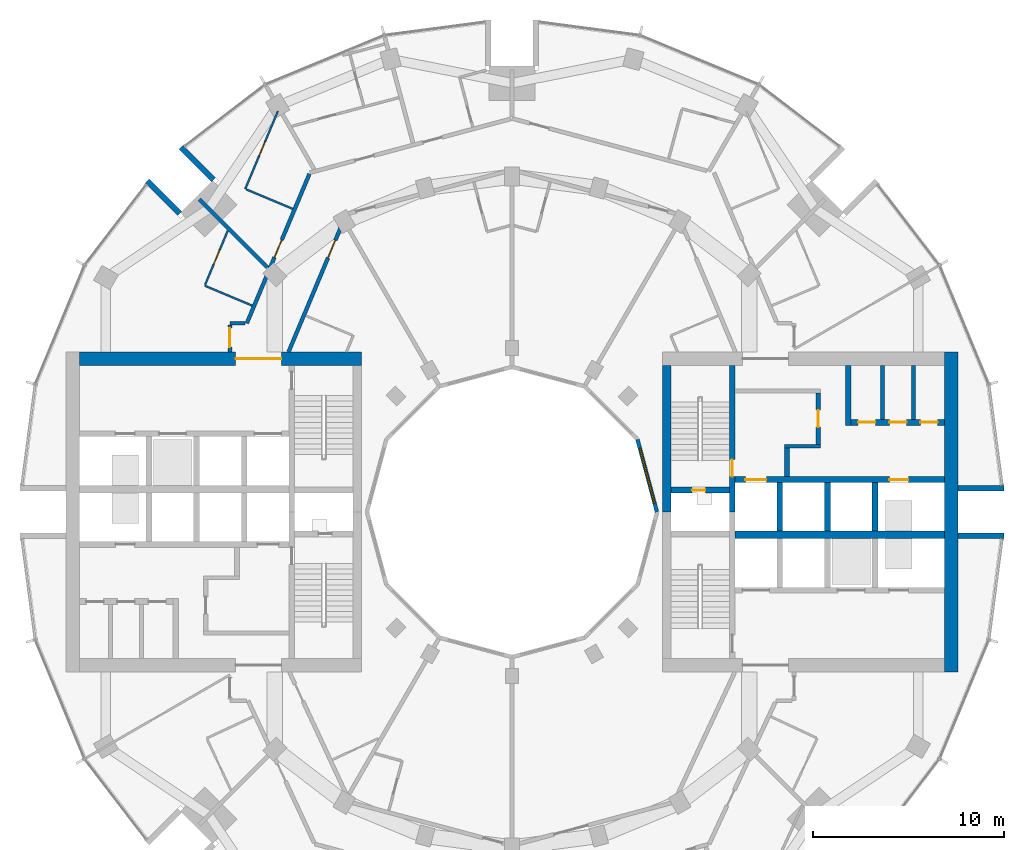
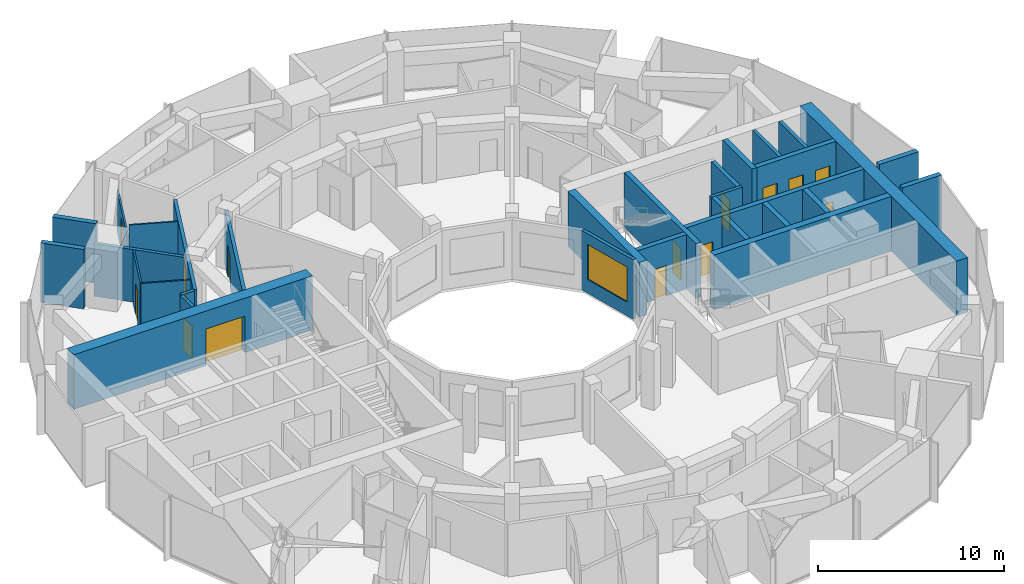
# One storey, part 11 of 15: 31 walls, 14 doors, 1 window, 15 openings.
"""IFC4 building model written with IfcOpenShell, lengths in metres."""

from ifc_helpers import new_model, si_unit, direction, frame, frame_2d, origin, place, context, subcontext, project, spatial, rectangle, extrude, material, layer, layer_set, type_object, element, fill, save


model = new_model("IFC4")

# Units and contexts
model_context = context("Model", 3, precision=1e-05, world=origin(), true_north=direction((0.0, 1.0)))
body_context = subcontext(model_context, "Body", "Model", "MODEL_VIEW")
ifc_project = project(units=[si_unit("LENGTHUNIT", "METRE"), si_unit("AREAUNIT", "SQUARE_METRE"), si_unit("VOLUMEUNIT", "CUBIC_METRE"), si_unit("PLANEANGLEUNIT", "RADIAN"), si_unit("MASSUNIT", "GRAM", prefix="KILO")], contexts=[model_context])

# Site, building, storey
site_placement = place(None, origin())
site = spatial("IfcSite", under=ifc_project, at=site_placement, CompositionType="ELEMENT")
building_placement = place(site_placement, origin())
building = spatial("IfcBuilding", under=site, at=building_placement, Name="Torre Brocal", CompositionType="ELEMENT")
storey_placement = place(building_placement, frame((0.0, 0.0, 134.10009765625)))
storey = spatial("IfcBuildingStorey", under=building, at=storey_placement, Name="L31", CompositionType="ELEMENT", Elevation=134.10009765625)

# Walls
ifc_material_1 = material(Name="Masonry block", Category="masonry")
ifc_layer_1 = layer(ifc_material_1, 0.199951171875)
ifc_layer_set_1 = layer_set([ifc_layer_1], Name="Masonry block")
wall_type_1 = type_object("IfcWallType", Name="CORE PARTITION 200", PredefinedType="PARTITIONING", material=ifc_layer_set_1)
for number, where, z_axis, x_axis, name in (
    (1, (99.433349609375, 79.85009765625, 0.0), (0.0, 0.0, 1.0), (0.0, 1.0, 0.0), "Wall CP200"),
    (2, (101.066650390625, 79.85009765625, 0.0), (0.0, 0.0, 1.0), (0.0, 1.0, 0.0), "Wall CP200"),
):
    element("IfcWall", number, at=place(storey_placement, frame(where, z_axis=z_axis, x_axis=x_axis)), inside=storey, type_object=wall_type_1, Name=name, PredefinedType="PARTITIONING", context=body_context, shape_type="SweptSolid", body=[
        extrude(rectangle(XDim=2.849853515625, YDim=0.199951171875, at=frame_2d((1.4248046875, 0.0))), origin(), (0.0, 0.0, 1.0), 3.579833984375),
    ])
ifc_material_2 = material(Name="Concrete C70", Category="concrete")
ifc_layer_2 = layer(ifc_material_2, 0.199951171875)
ifc_layer_set_2 = layer_set([ifc_layer_2], Name="Concrete C70")
wall_type_2 = type_object("IfcWallType", Name="CORE WALL 200 C70", PredefinedType="SHEAR", material=ifc_layer_set_2)
wall_1_placement = place(storey_placement, frame((94.300048828125, 78.449951171875, 0.0), z_axis=(0.0, 0.0, 1.0), x_axis=(1.0, 0.0, 0.0)))
element("IfcWall", 3, at=wall_1_placement, inside=storey, type_object=wall_type_2, Name="Wall CW200-70", PredefinedType="SHEAR", context=body_context, shape_type="SweptSolid", body=[
    extrude(rectangle(XDim=1.89990234375, YDim=0.199951171875, at=frame_2d((0.949951171875, 0.0))), origin(), (0.0, 0.0, 1.0), 3.579833984375),
])

# Wall, opening, door
ifc_material_3 = material(Name="Concrete C70", Category="concrete")
ifc_layer_3 = layer(ifc_material_3, 0.25)
ifc_layer_set_3 = layer_set([ifc_layer_3], Name="Concrete C70")
wall_type_3 = type_object("IfcWallType", Name="CORE WALL 250 C70", PredefinedType="SHEAR", material=ifc_layer_set_3)
wall_2_placement = place(storey_placement, frame((96.074951171875, 78.550048828125, 0.0), z_axis=(0.0, 0.0, 1.0), x_axis=(0.0, 1.0, 0.0)))
wall_2 = element("IfcWall", 4, at=wall_2_placement, inside=storey, type_object=wall_type_3, Name="Wall CW250-70", PredefinedType="SHEAR", context=body_context, shape_type="SweptSolid", body=[
    extrude(rectangle(XDim=2.699951171875, YDim=0.25, at=frame_2d((1.35009765625, 0.0))), origin(), (0.0, 0.0, 1.0), 3.579833984375),
])
opening_1_placement = place(wall_2_placement, frame((0.89990234375, 0.0, 0.0)))
opening_1 = element("IfcOpeningElement", 5, at=opening_1_placement, cuts=wall_2, Name="Opening E-D15", PredefinedType="OPENING", context=body_context, shape_type="SweptSolid", body=[
    extrude(rectangle(XDim=0.89990234375, YDim=2.10009765625, at=frame_2d((0.449951171875, 1.050048828125))), frame((0.0, 0.135009765625, 0.0), z_axis=(0.0, -1.0, 0.0), x_axis=(1.0, 0.0, 0.0)), (0.0, 0.0, 1.0), 0.27001953125),
])
ifc_material_4 = material(Name="Steel A653", Category="steel")
door_type_1 = type_object("IfcDoorType", Name="LOBBY DOOR FD120 900X2100", OperationType="SINGLE_SWING_RIGHT", PredefinedType="DOOR", material=ifc_material_4)
door_1_placement = place(opening_1_placement, origin())
door_1 = element("IfcDoor", 6, at=door_1_placement, inside=storey, type_object=door_type_1, Name="Door E-D15", OperationType="SINGLE_SWING_LEFT", OverallHeight=2.10009765625, OverallWidth=0.89990234375, PredefinedType="DOOR", context=body_context, shape_type="SweptSolid", body=[
    extrude(rectangle(XDim=0.89990234375, YDim=2.10009765625, at=frame_2d((0.449951171875, 1.050048828125))), frame((0.0, 0.02490234375, 0.0), z_axis=(0.0, -1.0, 0.0), x_axis=(1.0, 0.0, 0.0)), (0.0, 0.0, 1.0), 0.050048828125),
])
fill(opening_1, door_1)

# Wall
wall_3_placement = place(storey_placement, frame((94.425048828125, 76.85009765625, 0.0), z_axis=(0.0, 0.0, 1.0), x_axis=(0.0, 1.0, 0.0)))
element("IfcWall", 7, at=wall_3_placement, inside=storey, type_object=wall_type_3, Name="Wall CW250-70", PredefinedType="SHEAR", context=body_context, shape_type="SweptSolid", body=[
    extrude(rectangle(XDim=1.5, YDim=0.25, at=frame_2d((0.75, 0.0))), origin(), (0.0, 0.0, 1.0), 3.579833984375),
])

# Wall, opening, door
ifc_material_5 = material(Name="Concrete C70", Category="concrete")
ifc_layer_4 = layer(ifc_material_5, 0.300048828125)
ifc_layer_set_4 = layer_set([ifc_layer_4], Name="Concrete C70")
wall_type_4 = type_object("IfcWallType", Name="CORE WALL 300 C70", PredefinedType="SHEAR", material=ifc_layer_set_4)
wall_4_placement = place(storey_placement, frame((91.550048828125, 75.0, 0.0), z_axis=(0.0, 0.0, 1.0), x_axis=(0.0, 1.0, 0.0)))
wall_4 = element("IfcWall", 8, at=wall_4_placement, inside=storey, type_object=wall_type_4, Name="Wall CW300-70", PredefinedType="SHEAR", context=body_context, shape_type="SweptSolid", body=[
    extrude(rectangle(XDim=7.699951171875, YDim=0.300048828125, at=frame_2d((3.85009765625, 0.0))), origin(), (0.0, 0.0, 1.0), 3.579833984375),
])
opening_2_placement = place(wall_4_placement, frame((1.85009765625, 0.0, 0.0)))
opening_2 = element("IfcOpeningElement", 9, at=opening_2_placement, cuts=wall_4, Name="Opening E-D02", PredefinedType="OPENING", context=body_context, shape_type="SweptSolid", body=[
    extrude(rectangle(XDim=0.89990234375, YDim=2.10009765625, at=frame_2d((0.449951171875, 1.050048828125))), frame((0.0, 0.159912109375, 0.0), z_axis=(0.0, -1.0, 0.0), x_axis=(1.0, 0.0, 0.0)), (0.0, 0.0, 1.0), 0.320068359375),
])
ifc_material_6 = material(Name="Steel A653", Category="steel")
door_type_2 = type_object("IfcDoorType", Name="STAIR DOOR FD120 900X2100", OperationType="SINGLE_SWING_RIGHT", PredefinedType="DOOR", material=ifc_material_6)
door_2_placement = place(opening_2_placement, origin())
door_2 = element("IfcDoor", 10, at=door_2_placement, inside=storey, type_object=door_type_2, Name="Door E-D02", OperationType="SINGLE_SWING_LEFT", OverallHeight=2.10009765625, OverallWidth=0.89990234375, PredefinedType="DOOR", context=body_context, shape_type="SweptSolid", body=[
    extrude(rectangle(XDim=0.89990234375, YDim=2.10009765625, at=frame_2d((0.449951171875, 1.050048828125))), frame((0.0, 0.02490234375, 0.0), z_axis=(0.0, -1.0, 0.0), x_axis=(1.0, 0.0, 0.0)), (0.0, 0.0, 1.0), 0.050048828125),
])
fill(opening_2, door_2)

wall_5_placement = place(storey_placement, frame((88.35009765625, 76.14990234375, 0.0), z_axis=(0.0, 0.0, 1.0), x_axis=(1.0, 0.0, 0.0)))
wall_5 = element("IfcWall", 11, at=wall_5_placement, inside=storey, type_object=wall_type_4, Name="Wall CW300-70", PredefinedType="SHEAR", context=body_context, shape_type="SweptSolid", body=[
    extrude(rectangle(XDim=3.0498046875, YDim=0.300048828125, at=frame_2d((1.52490234375, 0.0))), origin(), (0.0, 0.0, 1.0), 3.579833984375),
])
opening_3_placement = place(wall_5_placement, frame((1.10009765625, 0.0, 0.0)))
opening_3 = element("IfcOpeningElement", 12, at=opening_3_placement, cuts=wall_5, Name="Opening E-D01", PredefinedType="OPENING", context=body_context, shape_type="SweptSolid", body=[
    extrude(rectangle(XDim=0.699951171875, YDim=2.0, at=frame_2d((0.35009765625, 1.0))), frame((0.0, 0.159912109375, 0.0), z_axis=(0.0, -1.0, 0.0), x_axis=(1.0, 0.0, 0.0)), (0.0, 0.0, 1.0), 0.320068359375),
])
ifc_material_7 = material(Name="Steel A653", Category="steel")
door_type_3 = type_object("IfcDoorType", Name="RISER DOOR FD120 700X2000", OperationType="SINGLE_SWING_LEFT", PredefinedType="DOOR", material=ifc_material_7)
door_3_placement = place(opening_3_placement, frame((0.699951171875, 0.0, 0.0), z_axis=(0.0, 0.0, 1.0), x_axis=(-1.0, 0.0, 0.0)))
door_3 = element("IfcDoor", 13, at=door_3_placement, inside=storey, type_object=door_type_3, Name="Door E-D01", OperationType="SINGLE_SWING_RIGHT", OverallHeight=2.0, OverallWidth=0.699951171875, PredefinedType="DOOR", context=body_context, shape_type="SweptSolid", body=[
    extrude(rectangle(XDim=0.699951171875, YDim=2.0, at=frame_2d((0.35009765625, 1.0))), frame((0.0, 0.02490234375, 0.0), z_axis=(0.0, -1.0, 0.0), x_axis=(1.0, 0.0, 0.0)), (0.0, 0.0, 1.0), 0.050048828125),
])
fill(opening_3, door_3)

# Wall, openings, doors
wall_6_placement = place(storey_placement, frame((91.699951171875, 76.699951171875, 0.0), z_axis=(0.0, 0.0, 1.0), x_axis=(1.0, 0.0, 0.0)))
wall_6 = element("IfcWall", 14, at=wall_6_placement, inside=storey, type_object=wall_type_4, Name="Wall CW300-70", PredefinedType="SHEAR", context=body_context, shape_type="SweptSolid", body=[
    extrude(rectangle(XDim=11.0, YDim=0.300048828125, at=frame_2d((5.5, 0.0))), origin(), (0.0, 0.0, 1.0), 3.579833984375),
])
opening_4_placement = place(wall_6_placement, frame((0.550048828125, 0.0, 0.0)))
opening_4 = element("IfcOpeningElement", 15, at=opening_4_placement, cuts=wall_6, Name="Opening LD", PredefinedType="OPENING", context=body_context, shape_type="SweptSolid", body=[
    extrude(rectangle(XDim=1.10009765625, YDim=2.10009765625, at=frame_2d((0.550048828125, 1.050048828125))), frame((0.0, 0.159912109375, 0.0), z_axis=(0.0, -1.0, 0.0), x_axis=(1.0, 0.0, 0.0)), (0.0, 0.0, 1.0), 0.320068359375),
])
opening_5_placement = place(wall_6_placement, frame((8.10009765625, 0.0, 0.0)))
opening_5 = element("IfcOpeningElement", 16, at=opening_5_placement, cuts=wall_6, Name="Opening LD10", PredefinedType="OPENING", context=body_context, shape_type="SweptSolid", body=[
    extrude(rectangle(XDim=1.0, YDim=2.10009765625, at=frame_2d((0.5, 1.050048828125))), frame((0.0, 0.159912109375, 0.0), z_axis=(0.0, -1.0, 0.0), x_axis=(1.0, 0.0, 0.0)), (0.0, 0.0, 1.0), 0.320068359375),
])
ifc_material_8 = material(Name="Stainless steel AISI 316", Category="steel")
door_type_4 = type_object("IfcDoorType", Name="LIFT LANDING DOOR 1000X2100", OperationType="DOUBLE_DOOR_SLIDING", PredefinedType="DOOR", material=ifc_material_8)
door_4_placement = place(opening_5_placement, origin())
door_4 = element("IfcDoor", 17, at=door_4_placement, inside=storey, type_object=door_type_4, Name="Door LD10", OperationType="DOUBLE_DOOR_SLIDING", OverallHeight=2.10009765625, OverallWidth=1.0, PredefinedType="DOOR", context=body_context, shape_type="SweptSolid", body=[
    extrude(rectangle(XDim=1.0, YDim=2.10009765625, at=frame_2d((0.5, 1.050048828125))), frame((0.0, 0.02490234375, 0.0), z_axis=(0.0, -1.0, 0.0), x_axis=(1.0, 0.0, 0.0)), (0.0, 0.0, 1.0), 0.050048828125),
])
fill(opening_5, door_4)
ifc_material_9 = material(Name="Stainless steel AISI 316", Category="steel")
door_type_5 = type_object("IfcDoorType", Name="LIFT LANDING DOOR 1100X2100", OperationType="DOUBLE_DOOR_SLIDING", PredefinedType="DOOR", material=ifc_material_9)
door_5_placement = place(opening_4_placement, origin())
door_5 = element("IfcDoor", 18, at=door_5_placement, inside=storey, type_object=door_type_5, Name="Door LD", OperationType="DOUBLE_DOOR_SLIDING", OverallHeight=2.10009765625, OverallWidth=1.10009765625, PredefinedType="DOOR", context=body_context, shape_type="SweptSolid", body=[
    extrude(rectangle(XDim=1.10009765625, YDim=2.10009765625, at=frame_2d((0.550048828125, 1.050048828125))), frame((0.0, 0.02490234375, 0.0), z_axis=(0.0, -1.0, 0.0), x_axis=(1.0, 0.0, 0.0)), (0.0, 0.0, 1.0), 0.050048828125),
])
fill(opening_4, door_5)

# Walls
for number, where, z_axis, x_axis, name in (
    (19, (94.050048828125, 74.0, 0.0), (0.0, 0.0, 1.0), (0.0, 1.0, 0.0), "Wall CW300-70"),
    (20, (96.550048828125, 74.0, 0.0), (0.0, 0.0, 1.0), (0.0, 1.0, 0.0), "Wall CW300-70"),
    (21, (99.050048828125, 74.0, 0.0), (0.0, 0.0, 1.0), (0.0, 1.0, 0.0), "Wall CW300-70"),
):
    element("IfcWall", number, at=place(storey_placement, frame(where, z_axis=z_axis, x_axis=x_axis)), inside=storey, type_object=wall_type_4, Name=name, PredefinedType="SHEAR", context=body_context, shape_type="SweptSolid", body=[
        extrude(rectangle(XDim=2.550048828125, YDim=0.300048828125, at=frame_2d((1.27490234375, 0.0))), origin(), (0.0, 0.0, 1.0), 3.579833984375),
    ])
wall_7_placement = place(storey_placement, frame((97.64990234375, 79.550048828125, 0.0), z_axis=(0.0, 0.0, 1.0), x_axis=(0.0, 1.0, 0.0)))
element("IfcWall", 22, at=wall_7_placement, inside=storey, type_object=wall_type_4, Name="Wall CW300-70", PredefinedType="SHEAR", context=body_context, shape_type="SweptSolid", body=[
    extrude(rectangle(XDim=3.14990234375, YDim=0.300048828125, at=frame_2d((1.574951171875, 0.0))), origin(), (0.0, 0.0, 1.0), 3.579833984375),
])

# Wall, openings, doors
wall_8_placement = place(storey_placement, frame((97.800048828125, 79.699951171875, 0.0), z_axis=(0.0, 0.0, 1.0), x_axis=(1.0, 0.0, 0.0)))
wall_8 = element("IfcWall", 23, at=wall_8_placement, inside=storey, type_object=wall_type_4, Name="Wall CW300-70", PredefinedType="SHEAR", context=body_context, shape_type="SweptSolid", body=[
    extrude(rectangle(XDim=4.89990234375, YDim=0.300048828125, at=frame_2d((2.449951171875, 0.0))), origin(), (0.0, 0.0, 1.0), 3.579833984375),
])
opening_6_placement = place(wall_8_placement, frame((0.36669921875, 0.0, 0.0)))
opening_6 = element("IfcOpeningElement", 24, at=opening_6_placement, cuts=wall_8, Name="Opening E-D05", PredefinedType="OPENING", context=body_context, shape_type="SweptSolid", body=[
    extrude(rectangle(XDim=0.89990234375, YDim=2.10009765625, at=frame_2d((0.449951171875, 1.050048828125))), frame((0.0, 0.159912109375, 0.0), z_axis=(0.0, -1.0, 0.0), x_axis=(1.0, 0.0, 0.0)), (0.0, 0.0, 1.0), 0.320068359375),
])
opening_7_placement = place(wall_8_placement, frame((2.0, 0.0, 0.0)))
opening_7 = element("IfcOpeningElement", 25, at=opening_7_placement, cuts=wall_8, Name="Opening E-D06", PredefinedType="OPENING", context=body_context, shape_type="SweptSolid", body=[
    extrude(rectangle(XDim=0.89990234375, YDim=2.10009765625, at=frame_2d((0.449951171875, 1.050048828125))), frame((0.0, 0.159912109375, 0.0), z_axis=(0.0, -1.0, 0.0), x_axis=(1.0, 0.0, 0.0)), (0.0, 0.0, 1.0), 0.320068359375),
])
opening_8_placement = place(wall_8_placement, frame((3.63330078125, 0.0, 0.0)))
opening_8 = element("IfcOpeningElement", 26, at=opening_8_placement, cuts=wall_8, Name="Opening E-D07", PredefinedType="OPENING", context=body_context, shape_type="SweptSolid", body=[
    extrude(rectangle(XDim=0.89990234375, YDim=2.10009765625, at=frame_2d((0.449951171875, 1.050048828125))), frame((0.0, 0.159912109375, 0.0), z_axis=(0.0, -1.0, 0.0), x_axis=(1.0, 0.0, 0.0)), (0.0, 0.0, 1.0), 0.320068359375),
])
ifc_material_10 = material(Name="Steel A653", Category="steel")
door_type_6 = type_object("IfcDoorType", Name="ROOM DOOR FD30S 900X2100", OperationType="SINGLE_SWING_LEFT", PredefinedType="DOOR", material=ifc_material_10)
door_6_placement = place(opening_6_placement, origin())
door_6 = element("IfcDoor", 27, at=door_6_placement, inside=storey, type_object=door_type_6, Name="Door E-D05", OperationType="SINGLE_SWING_RIGHT", OverallHeight=2.10009765625, OverallWidth=0.89990234375, PredefinedType="DOOR", context=body_context, shape_type="SweptSolid", body=[
    extrude(rectangle(XDim=0.89990234375, YDim=2.10009765625, at=frame_2d((0.449951171875, 1.050048828125))), frame((0.0, 0.02490234375, 0.0), z_axis=(0.0, -1.0, 0.0), x_axis=(1.0, 0.0, 0.0)), (0.0, 0.0, 1.0), 0.050048828125),
])
fill(opening_6, door_6)
door_7_placement = place(opening_7_placement, origin())
door_7 = element("IfcDoor", 28, at=door_7_placement, inside=storey, type_object=door_type_6, Name="Door E-D06", OperationType="SINGLE_SWING_LEFT", OverallHeight=2.10009765625, OverallWidth=0.89990234375, PredefinedType="DOOR", context=body_context, shape_type="SweptSolid", body=[
    extrude(rectangle(XDim=0.89990234375, YDim=2.10009765625, at=frame_2d((0.449951171875, 1.050048828125))), frame((0.0, 0.02490234375, 0.0), z_axis=(0.0, -1.0, 0.0), x_axis=(1.0, 0.0, 0.0)), (0.0, 0.0, 1.0), 0.050048828125),
])
fill(opening_7, door_7)
door_8_placement = place(opening_8_placement, origin())
door_8 = element("IfcDoor", 29, at=door_8_placement, inside=storey, type_object=door_type_6, Name="Door E-D07", OperationType="SINGLE_SWING_LEFT", OverallHeight=2.10009765625, OverallWidth=0.89990234375, PredefinedType="DOOR", context=body_context, shape_type="SweptSolid", body=[
    extrude(rectangle(XDim=0.89990234375, YDim=2.10009765625, at=frame_2d((0.449951171875, 1.050048828125))), frame((0.0, 0.02490234375, 0.0), z_axis=(0.0, -1.0, 0.0), x_axis=(1.0, 0.0, 0.0)), (0.0, 0.0, 1.0), 0.050048828125),
])
fill(opening_8, door_8)

# Walls
ifc_material_11 = material(Name="Concrete C70", Category="concrete")
ifc_layer_5 = layer(ifc_material_11, 0.39990234375)
ifc_layer_set_5 = layer_set([ifc_layer_5], Name="Concrete C70")
wall_type_5 = type_object("IfcWallType", Name="CORE WALL 400 C70", PredefinedType="SHEAR", material=ifc_layer_set_5)
wall_9_placement = place(storey_placement, frame((91.699951171875, 73.800048828125, 0.0), z_axis=(0.0, 0.0, 1.0), x_axis=(1.0, 0.0, 0.0)))
element("IfcWall", 30, at=wall_9_placement, inside=storey, type_object=wall_type_5, Name="Wall CW400-70", PredefinedType="SHEAR", context=body_context, shape_type="SweptSolid", body=[
    extrude(rectangle(XDim=11.0, YDim=0.39990234375, at=frame_2d((5.5, 0.0))), origin(), (0.0, 0.0, 1.0), 3.579833984375),
])
ifc_material_12 = material(Name="Concrete C70", Category="concrete")
ifc_layer_6 = layer(ifc_material_12, 0.449951171875)
ifc_layer_set_6 = layer_set([ifc_layer_6], Name="Concrete C70")
wall_type_6 = type_object("IfcWallType", Name="CORE WALL 450 C70", PredefinedType="SHEAR", material=ifc_layer_set_6)
wall_10_placement = place(storey_placement, frame((88.125, 75.0, 0.0), z_axis=(0.0, 0.0, 1.0), x_axis=(0.0, 1.0, 0.0)))
element("IfcWall", 31, at=wall_10_placement, inside=storey, type_object=wall_type_6, Name="Wall CW450-70", PredefinedType="SHEAR", context=body_context, shape_type="SweptSolid", body=[
    extrude(rectangle(XDim=7.699951171875, YDim=0.449951171875, at=frame_2d((3.85009765625, 0.0))), origin(), (0.0, 0.0, 1.0), 3.579833984375),
])
ifc_material_13 = material(Name="Concrete C70", Category="concrete")
ifc_layer_7 = layer(ifc_material_13, 0.699951171875)
ifc_layer_set_7 = layer_set([ifc_layer_7], Name="Concrete C70")
wall_type_7 = type_object("IfcWallType", Name="CORE WALL 700 C70", PredefinedType="SHEAR", material=ifc_layer_set_7)
wall_11_placement = place(storey_placement, frame((103.050048828125, 66.60009765625, 0.0), z_axis=(0.0, 0.0, 1.0), x_axis=(0.0, 1.0, 0.0)))
element("IfcWall", 32, at=wall_11_placement, inside=storey, type_object=wall_type_7, Name="Wall CW700-70", PredefinedType="SHEAR", context=body_context, shape_type="SweptSolid", body=[
    extrude(rectangle(XDim=16.7998046875, YDim=0.699951171875, at=frame_2d((8.39990234375, 0.0))), origin(), (0.0, 0.0, 1.0), 3.579833984375),
])

# Wall, opening, door
wall_12_placement = place(storey_placement, frame((72.10009765625, 83.050048828125, 0.0), z_axis=(0.0, 0.0, 1.0), x_axis=(-1.0, 0.0, 0.0)))
wall_12 = element("IfcWall", 33, at=wall_12_placement, inside=storey, type_object=wall_type_7, Name="Wall CW700-70", PredefinedType="SHEAR", context=body_context, shape_type="SweptSolid", body=[
    extrude(rectangle(XDim=14.800048828125, YDim=0.699951171875, at=frame_2d((7.39990234375, 0.0))), origin(), (0.0, 0.0, 1.0), 3.579833984375),
])
opening_9_placement = place(wall_12_placement, frame((4.199951171875, 0.0, 0.0)))
opening_9 = element("IfcOpeningElement", 34, at=opening_9_placement, cuts=wall_12, Name="Opening W-D30", PredefinedType="OPENING", context=body_context, shape_type="SweptSolid", body=[
    extrude(rectangle(XDim=2.39990234375, YDim=2.39990234375, at=frame_2d((1.199951171875, 1.199951171875))), frame((0.0, 0.35986328125, 0.0), z_axis=(0.0, -1.0, 0.0), x_axis=(1.0, 0.0, 0.0)), (0.0, 0.0, 1.0), 0.719970703125),
])
ifc_material_14 = material(Name="Steel A653", Category="steel")
door_type_7 = type_object("IfcDoorType", Name="DOUBLE FIRE DOOR FD90 2400X2400", OperationType="DOUBLE_DOOR_SINGLE_SWING", PredefinedType="DOOR", material=ifc_material_14)
door_9_placement = place(opening_9_placement, origin())
door_9 = element("IfcDoor", 35, at=door_9_placement, inside=storey, type_object=door_type_7, Name="Door W-D30", OperationType="DOUBLE_DOOR_SINGLE_SWING", OverallHeight=2.39990234375, OverallWidth=2.39990234375, PredefinedType="DOOR", context=body_context, shape_type="SweptSolid", body=[
    extrude(rectangle(XDim=2.39990234375, YDim=2.39990234375, at=frame_2d((1.199951171875, 1.199951171875))), frame((0.0, 0.02490234375, 0.0), z_axis=(0.0, -1.0, 0.0), x_axis=(1.0, 0.0, 0.0)), (0.0, 0.0, 1.0), 0.050048828125),
])
fill(opening_9, door_9)

# Walls
ifc_material_15 = material(Name="Concrete C70", Category="concrete")
ifc_layer_8 = layer(ifc_material_15, 0.300048828125)
ifc_layer_set_8 = layer_set([ifc_layer_8], Name="Concrete C70")
wall_type_8 = type_object("IfcWallType", Name="NOTCH RETURN WALL 300 C70", PredefinedType="NOTDEFINED", material=ifc_layer_set_8)
for number, where, z_axis, x_axis, name in (
    (36, (103.39990234375, 73.75, 0.0), (0.0, 0.0, 1.0), (1.0, 0.0, 0.0), "NOTCH RETURN WALL"),
    (37, (103.39990234375, 76.25, 0.0), (0.0, 0.0, 1.0), (1.0, 0.0, 0.0), "NOTCH RETURN WALL"),
    (38, (64.337646484375, 92.43017578125, 0.0), (0.0, 0.0, 1.0), (-0.707106781187, 0.707106781187, 0.0), "NOTCH RETURN WALL"),
    (39, (62.56982421875, 90.662353515625, 0.0), (0.0, 0.0, 1.0), (-0.707106781187, 0.707106781187, 0.0), "NOTCH RETURN WALL"),
):
    element("IfcWall", number, at=place(storey_placement, frame(where, z_axis=z_axis, x_axis=x_axis)), inside=storey, type_object=wall_type_8, Name=name, PredefinedType="NOTDEFINED", context=body_context, shape_type="SweptSolid", body=[
        extrude(rectangle(XDim=2.415771484375, YDim=0.300048828125, at=frame_2d((1.2080078125, 0.0))), origin(), (0.0, 0.0, 1.0), 3.89990234375),
    ])

# Wall, opening, door
ifc_material_16 = material(Name="Gypsum board", Category="Gypsum")
ifc_layer_9 = layer(ifc_material_16, 0.10009765625)
ifc_layer_set_9 = layer_set([ifc_layer_9], Name="Gypsum board")
wall_type_9 = type_object("IfcWallType", Name="PARTITION 100", PredefinedType="PARTITIONING", material=ifc_layer_set_9)
wall_13_placement = place(storey_placement, frame((63.8955078125, 86.92041015625, 0.0), z_axis=(0.0, 0.0, 1.0), x_axis=(0.386637413037, 0.922231809709, 0.0)))
wall_13 = element("IfcWall", 40, at=wall_13_placement, inside=storey, type_object=wall_type_9, Name="BATHROOM WALL", PredefinedType="PARTITIONING", context=body_context, shape_type="SweptSolid", body=[
    extrude(rectangle(XDim=3.076416015625, YDim=0.10009765625, at=frame_2d((1.5380859375, 0.0))), origin(), (0.0, 0.0, 1.0), 3.449951171875),
])
opening_10_placement = place(wall_13_placement, frame((1.173095703125, 0.0, 0.0)))
opening_10 = element("IfcOpeningElement", 41, at=opening_10_placement, cuts=wall_13, Name="Opening E02-D16", PredefinedType="OPENING", context=body_context, shape_type="SweptSolid", body=[
    extrude(rectangle(XDim=0.800048828125, YDim=2.10009765625, at=frame_2d((0.39990234375, 1.050048828125))), frame((0.0, 0.06005859375, 0.0), z_axis=(0.0, -1.0, 0.0), x_axis=(1.0, 0.0, 0.0)), (0.0, 0.0, 1.0), 0.1201171875),
])
ifc_material_17 = material(Name="Timber", Category="wood")
door_type_8 = type_object("IfcDoorType", Name="BATHROOM DOOR 800X2100", OperationType="SINGLE_SWING_LEFT", PredefinedType="DOOR", material=ifc_material_17)
door_10_placement = place(opening_10_placement, frame((0.800048828125, 0.0, 0.0), z_axis=(0.0, 0.0, 1.0), x_axis=(-1.0, 0.0, 0.0)))
door_10 = element("IfcDoor", 42, at=door_10_placement, inside=storey, type_object=door_type_8, Name="E02-D16", OperationType="SINGLE_SWING_LEFT", OverallHeight=2.10009765625, OverallWidth=0.800048828125, PredefinedType="DOOR", context=body_context, shape_type="SweptSolid", body=[
    extrude(rectangle(XDim=0.800048828125, YDim=2.10009765625, at=frame_2d((0.39990234375, 1.050048828125))), frame((0.0, 0.02490234375, 0.0), z_axis=(0.0, -1.0, 0.0), x_axis=(1.0, 0.0, 0.0)), (0.0, 0.0, 1.0), 0.050048828125),
])
fill(opening_10, door_10)

# Walls
wall_14_placement = place(storey_placement, frame((63.876953125, 86.8740234375, 0.0), z_axis=(0.0, 0.0, 1.0), x_axis=(0.92214860299, -0.386835823062, 0.0)))
element("IfcWall", 43, at=wall_14_placement, inside=storey, type_object=wall_type_9, Name="BATHROOM WALL", PredefinedType="PARTITIONING", context=body_context, shape_type="SweptSolid", body=[
    extrude(rectangle(XDim=2.699951171875, YDim=0.10009765625, at=frame_2d((1.35009765625, 0.0))), origin(), (0.0, 0.0, 1.0), 3.449951171875),
])
wall_15_placement = place(storey_placement, frame((66.049072265625, 91.9306640625, 0.0), z_axis=(0.0, 0.0, 1.0), x_axis=(0.922344808264, -0.38636777126, 0.0)))
element("IfcWall", 44, at=wall_15_placement, inside=storey, type_object=wall_type_9, Name="BATHROOM WALL", PredefinedType="PARTITIONING", context=body_context, shape_type="SweptSolid", body=[
    extrude(rectangle(XDim=2.650146484375, YDim=0.10009765625, at=frame_2d((1.3251953125, 0.0))), origin(), (0.0, 0.0, 1.0), 3.449951171875),
])

# Wall, opening, door
ifc_material_18 = material(Name="Gypsum board", Category="Gypsum")
ifc_layer_10 = layer(ifc_material_18, 0.10009765625)
ifc_layer_set_10 = layer_set([ifc_layer_10], Name="Gypsum board")
wall_type_10 = type_object("IfcWallType", Name="PARTITION 100 UNDER BEAM 1220", PredefinedType="PARTITIONING", material=ifc_layer_set_10)
wall_16_placement = place(storey_placement, frame((66.003662109375, 91.94970703125, 0.0), z_axis=(0.0, 0.0, 1.0), x_axis=(0.386601257709, 0.922246966673, 0.0)))
wall_16 = element("IfcWall", 45, at=wall_16_placement, inside=storey, type_object=wall_type_10, Name="BATHROOM WALL", PredefinedType="PARTITIONING", context=body_context, shape_type="SweptSolid", body=[
    extrude(rectangle(XDim=4.4326171875, YDim=0.10009765625, at=frame_2d((2.21630859375, 0.0))), origin(), (0.0, 0.0, 1.0), 2.679931640625),
])
opening_11_placement = place(wall_16_placement, frame((1.891357421875, 0.0, 0.0)))
opening_11 = element("IfcOpeningElement", 46, at=opening_11_placement, cuts=wall_16, Name="Opening E02-D14", PredefinedType="OPENING", context=body_context, shape_type="SweptSolid", body=[
    extrude(rectangle(XDim=0.800048828125, YDim=2.10009765625, at=frame_2d((0.39990234375, 1.050048828125))), frame((0.0, 0.06005859375, 0.0), z_axis=(0.0, -1.0, 0.0), x_axis=(1.0, 0.0, 0.0)), (0.0, 0.0, 1.0), 0.1201171875),
])
door_11_placement = place(opening_11_placement, frame((0.800048828125, 0.0, 0.0), z_axis=(0.0, 0.0, 1.0), x_axis=(-1.0, 0.0, 0.0)))
door_11 = element("IfcDoor", 47, at=door_11_placement, inside=storey, type_object=door_type_8, Name="E02-D14", OperationType="SINGLE_SWING_LEFT", OverallHeight=2.10009765625, OverallWidth=0.800048828125, PredefinedType="DOOR", context=body_context, shape_type="SweptSolid", body=[
    extrude(rectangle(XDim=0.800048828125, YDim=2.10009765625, at=frame_2d((0.39990234375, 1.050048828125))), frame((0.0, 0.02490234375, 0.0), z_axis=(0.0, -1.0, 0.0), x_axis=(1.0, 0.0, 0.0)), (0.0, 0.0, 1.0), 0.050048828125),
])
fill(opening_11, door_11)

# Wall
ifc_material_19 = material(Name="Gypsum board", Category="Gypsum")
ifc_layer_11 = layer(ifc_material_19, 0.199951171875)
ifc_layer_set_11 = layer_set([ifc_layer_11], Name="Gypsum board")
wall_type_11 = type_object("IfcWallType", Name="PARTITION 200 EI60", PredefinedType="PARTITIONING", material=ifc_layer_set_11)
wall_17_placement = place(storey_placement, frame((63.599609375, 91.4091796875, 0.0), z_axis=(0.0, 0.0, 1.0), x_axis=(0.706937509868, -0.707276011993, 0.0)))
element("IfcWall", 48, at=wall_17_placement, inside=storey, type_object=wall_type_11, Name="BATHROOM WALL", PredefinedType="PARTITIONING", context=body_context, shape_type="SweptSolid", body=[
    extrude(rectangle(XDim=5.048583984375, YDim=0.199951171875, at=frame_2d((2.5244140625, 0.0))), origin(), (0.0, 0.0, 1.0), 3.449951171875),
])

# Wall, opening, door
wall_18_placement = place(storey_placement, frame((65.199951171875, 83.40087890625, 0.0), z_axis=(0.0, 0.0, 1.0), x_axis=(0.0, 1.0, 0.0)))
wall_18 = element("IfcWall", 49, at=wall_18_placement, inside=storey, type_object=wall_type_11, Name="GUESTROOM CORRIDOR WALL", PredefinedType="PARTITIONING", context=body_context, shape_type="SweptSolid", body=[
    extrude(rectangle(XDim=1.399169921875, YDim=0.199951171875, at=frame_2d((0.69970703125, 0.0))), origin(), (0.0, 0.0, 1.0), 3.449951171875),
])
opening_12_placement = place(wall_18_placement, frame((0.2490234375, 0.0, 0.0)))
opening_12 = element("IfcOpeningElement", 50, at=opening_12_placement, cuts=wall_18, Name="Opening E02-D15", PredefinedType="OPENING", context=body_context, shape_type="SweptSolid", body=[
    extrude(rectangle(XDim=1.0, YDim=2.10009765625, at=frame_2d((0.5, 1.050048828125))), frame((0.0, 0.10986328125, 0.0), z_axis=(0.0, -1.0, 0.0), x_axis=(1.0, 0.0, 0.0)), (0.0, 0.0, 1.0), 0.219970703125),
])
ifc_material_20 = material(Name="Timber", Category="wood")
door_type_9 = type_object("IfcDoorType", Name="FLAT ENTRY DOOR FD30S 1000X2100", OperationType="SINGLE_SWING_RIGHT", PredefinedType="DOOR", material=ifc_material_20)
door_12_placement = place(opening_12_placement, origin())
door_12 = element("IfcDoor", 51, at=door_12_placement, inside=storey, type_object=door_type_9, Name="E02-D15", OperationType="SINGLE_SWING_LEFT", OverallHeight=2.10009765625, OverallWidth=1.0, PredefinedType="DOOR", context=body_context, shape_type="SweptSolid", body=[
    extrude(rectangle(XDim=1.0, YDim=2.10009765625, at=frame_2d((0.5, 1.050048828125))), frame((0.0, 0.02490234375, 0.0), z_axis=(0.0, -1.0, 0.0), x_axis=(1.0, 0.0, 0.0)), (0.0, 0.0, 1.0), 0.050048828125),
])
fill(opening_12, door_12)

# Wall
wall_19_placement = place(storey_placement, frame((65.199951171875, 84.89990234375, 0.0), z_axis=(0.0, 0.0, 1.0), x_axis=(1.0, 0.0, 0.0)))
element("IfcWall", 52, at=wall_19_placement, inside=storey, type_object=wall_type_11, Name="GUESTROOM CORRIDOR WALL", PredefinedType="PARTITIONING", context=body_context, shape_type="SweptSolid", body=[
    extrude(rectangle(XDim=0.795166015625, YDim=0.199951171875, at=frame_2d((0.3974609375, 0.0))), origin(), (0.0, 0.0, 1.0), 3.449951171875),
])

# Wall, opening, door
wall_20_placement = place(storey_placement, frame((66.085205078125, 84.900390625, 0.0), z_axis=(0.0, 0.0, 1.0), x_axis=(0.386617151403, 0.922240303956, 0.0)))
wall_20 = element("IfcWall", 53, at=wall_20_placement, inside=storey, type_object=wall_type_11, Name="GUESTROOM CORRIDOR WALL", PredefinedType="PARTITIONING", context=body_context, shape_type="SweptSolid", body=[
    extrude(rectangle(XDim=8.500244140625, YDim=0.199951171875, at=frame_2d((4.25, 0.0))), origin(), (0.0, 0.0, 1.0), 3.449951171875),
])
opening_13_placement = place(wall_20_placement, frame((3.74755859375, 0.0, 0.0)))
opening_13 = element("IfcOpeningElement", 54, at=opening_13_placement, cuts=wall_20, Name="Opening E02-D13", PredefinedType="OPENING", context=body_context, shape_type="SweptSolid", body=[
    extrude(rectangle(XDim=1.0, YDim=2.10009765625, at=frame_2d((0.5, 1.050048828125))), frame((0.0, 0.10986328125, 0.0), z_axis=(0.0, -1.0, 0.0), x_axis=(1.0, 0.0, 0.0)), (0.0, 0.0, 1.0), 0.219970703125),
])
door_13_placement = place(opening_13_placement, origin())
door_13 = element("IfcDoor", 55, at=door_13_placement, inside=storey, type_object=door_type_9, Name="E02-D13", OperationType="SINGLE_SWING_LEFT", OverallHeight=2.10009765625, OverallWidth=1.0, PredefinedType="DOOR", context=body_context, shape_type="SweptSolid", body=[
    extrude(rectangle(XDim=1.0, YDim=2.10009765625, at=frame_2d((0.5, 1.050048828125))), frame((0.0, 0.02490234375, 0.0), z_axis=(0.0, -1.0, 0.0), x_axis=(1.0, 0.0, 0.0)), (0.0, 0.0, 1.0), 0.050048828125),
])
fill(opening_13, door_13)

wall_21_placement = place(storey_placement, frame((68.276611328125, 83.400146484375, 0.0), z_axis=(0.0, 0.0, 1.0), x_axis=(0.386454861164, 0.922308321703, 0.0)))
wall_21 = element("IfcWall", 56, at=wall_21_placement, inside=storey, type_object=wall_type_11, Name="GUESTROOM CORRIDOR WALL", PredefinedType="PARTITIONING", context=body_context, shape_type="SweptSolid", body=[
    extrude(rectangle(XDim=7.76220703125, YDim=0.199951171875, at=frame_2d((3.881103515625, 0.0))), origin(), (0.0, 0.0, 1.0), 3.449951171875),
])
opening_14_placement = place(wall_21_placement, frame((5.3505859375, 0.0, 0.0)))
opening_14 = element("IfcOpeningElement", 57, at=opening_14_placement, cuts=wall_21, Name="Opening E02-D23", PredefinedType="OPENING", context=body_context, shape_type="SweptSolid", body=[
    extrude(rectangle(XDim=1.0, YDim=2.10009765625, at=frame_2d((0.5, 1.050048828125))), frame((0.0, 0.10986328125, 0.0), z_axis=(0.0, -1.0, 0.0), x_axis=(1.0, 0.0, 0.0)), (0.0, 0.0, 1.0), 0.219970703125),
])
door_14_placement = place(opening_14_placement, frame((1.0, 0.0, 0.0), z_axis=(0.0, 0.0, 1.0), x_axis=(-1.0, 0.0, 0.0)))
door_14 = element("IfcDoor", 58, at=door_14_placement, inside=storey, type_object=door_type_9, Name="E02-D23", OperationType="SINGLE_SWING_LEFT", OverallHeight=2.10009765625, OverallWidth=1.0, PredefinedType="DOOR", context=body_context, shape_type="SweptSolid", body=[
    extrude(rectangle(XDim=1.0, YDim=2.10009765625, at=frame_2d((0.5, 1.050048828125))), frame((0.0, 0.02490234375, 0.0), z_axis=(0.0, -1.0, 0.0), x_axis=(1.0, 0.0, 0.0)), (0.0, 0.0, 1.0), 0.050048828125),
])
fill(opening_14, door_14)

# Wall, opening, window
ifc_material_21 = material(Name="Concrete C40", Category="concrete")
ifc_layer_12 = layer(ifc_material_21, 0.199951171875)
ifc_layer_set_12 = layer_set([ifc_layer_12], Name="Concrete C40")
wall_type_12 = type_object("IfcWallType", Name="WELL FACADE WALL 200", PredefinedType="NOTDEFINED", material=ifc_layer_set_12)
wall_22_placement = place(storey_placement, frame((87.603515625, 75.0, 0.0), z_axis=(0.0, 0.0, 1.0), x_axis=(-0.258789828301, 0.965933654434, 0.0)))
wall_22 = element("IfcWall", 59, at=wall_22_placement, inside=storey, type_object=wall_type_12, Name="WELL FACADE WALL", PredefinedType="NOTDEFINED", context=body_context, shape_type="SweptSolid", body=[
    extrude(rectangle(XDim=3.935791015625, YDim=0.199951171875, at=frame_2d((1.9677734375, 0.0))), origin(), (0.0, 0.0, 1.0), 3.89990234375),
])
opening_15_placement = place(wall_22_placement, frame((0.468017578125, 0.0, 0.89990234375)))
opening_15 = element("IfcOpeningElement", 60, at=opening_15_placement, cuts=wall_22, Name="Opening W1", PredefinedType="OPENING", context=body_context, shape_type="SweptSolid", body=[
    extrude(rectangle(XDim=3.0, YDim=2.300048828125, at=frame_2d((1.5, 1.14990234375))), frame((0.0, 0.10986328125, 0.0), z_axis=(0.0, -1.0, 0.0), x_axis=(1.0, 0.0, 0.0)), (0.0, 0.0, 1.0), 0.219970703125),
])
ifc_material_22 = material(Name="Aluminium and glass", Category="aluminium")
window_type = type_object("IfcWindowType", Name="WELL WINDOW 3000X2300", PartitioningType="SINGLE_PANEL", PredefinedType="WINDOW", material=ifc_material_22)
window_placement = place(opening_15_placement, origin())
window = element("IfcWindow", 61, at=window_placement, inside=storey, type_object=window_type, Name="WELL WINDOW 3000X2300", OverallHeight=2.300048828125, OverallWidth=3.0, PartitioningType="SINGLE_PANEL", PredefinedType="WINDOW", context=body_context, shape_type="SweptSolid", body=[
    extrude(rectangle(XDim=3.0, YDim=2.300048828125, at=frame_2d((1.5, 1.14990234375))), frame((0.0, 0.030029296875, 0.0), z_axis=(0.0, -1.0, 0.0), x_axis=(1.0, 0.0, 0.0)), (0.0, 0.0, 1.0), 0.06005859375),
])
fill(opening_15, window)

save(model, "model.ifc")
